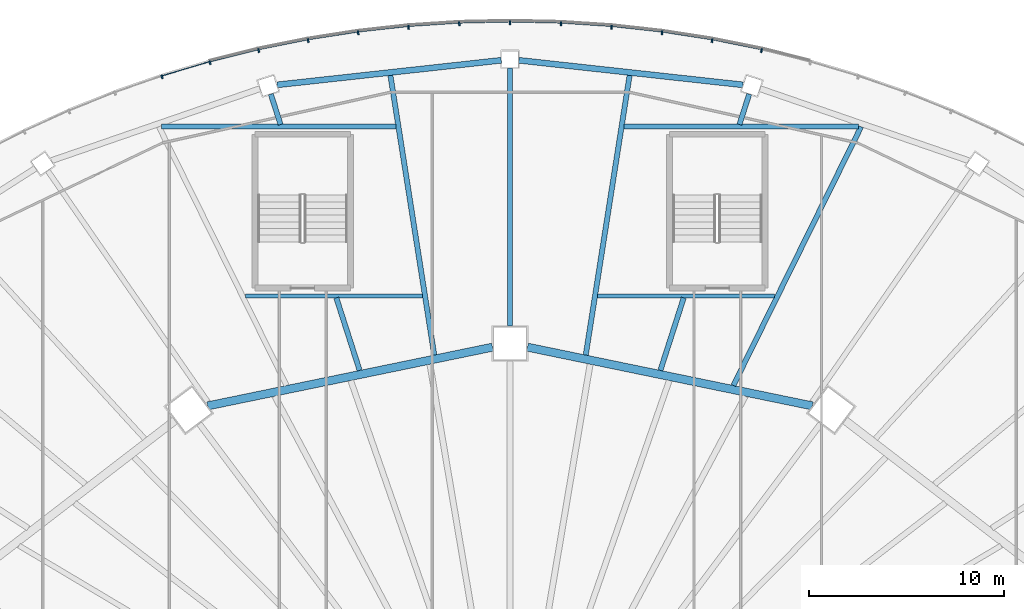
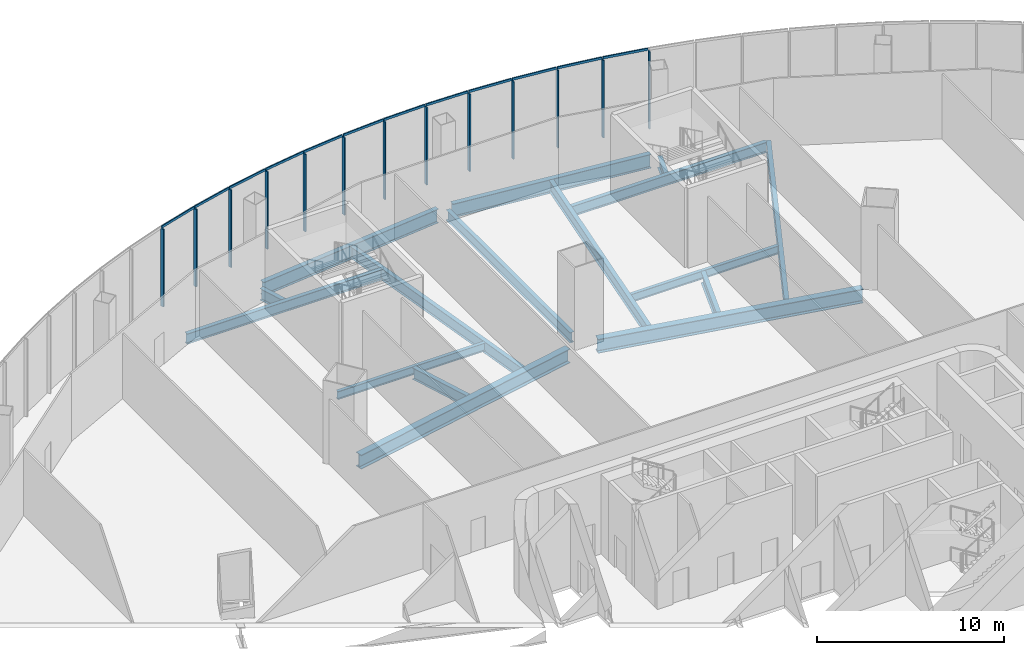
# One storey, part 14 of 42: 25 members, 16 beams, 3 elements without a shape of their own.
"""IFC4 building model written with IfcOpenShell, lengths in metres."""

from ifc_helpers import new_model, si_unit, direction, frame, origin, origin_2d, place, context, subcontext, project, spatial, rectangle, i_section, extrude, material, layer, layer_set, material_profile, profile_set, type_object, element, aggregate, save


model = new_model("IFC4")

# Units and contexts
model_context = context("Model", 3, precision=1e-05, world=origin(), true_north=direction((0.0, 1.0)))
body_context = subcontext(model_context, "Body", "Model", "MODEL_VIEW")
ifc_project = project(units=[si_unit("LENGTHUNIT", "METRE"), si_unit("AREAUNIT", "SQUARE_METRE"), si_unit("VOLUMEUNIT", "CUBIC_METRE"), si_unit("PLANEANGLEUNIT", "RADIAN"), si_unit("MASSUNIT", "GRAM", prefix="KILO")], contexts=[model_context])

# Site, building, storey
site_placement = place(None, origin())
site = spatial("IfcSite", under=ifc_project, at=site_placement, CompositionType="ELEMENT")
building_placement = place(site_placement, origin())
building = spatial("IfcBuilding", under=site, at=building_placement, Name="Sahrelin Media Tower", CompositionType="ELEMENT")
storey_placement = place(building_placement, frame((0.0, 0.0, 26.0)))
storey = spatial("IfcBuildingStorey", under=building, at=storey_placement, Name="L03", CompositionType="ELEMENT", Elevation=26.0)

# Beams
ifc_material_1 = material(Name="Steel S355", Category="steel")
ifc_material_profile_1 = material_profile(ifc_material_1, i_section(OverallWidth=0.208740234375, OverallDepth=0.5283203125, WebThickness=0.009521484375, FlangeThickness=0.01318359375, FilletRadius=0.0126953125, at=origin_2d()), Name="UB 533x210x82")
ifc_profile_set_1 = profile_set([ifc_material_profile_1], Name="Steel S355")
beam_type_1 = type_object("IfcBeamType", Name="Header beam HB6", PredefinedType="BEAM", material=ifc_profile_set_1)
for number, where, z_axis, x_axis, name in (
    (1, (13.59814453125, 27.85009765625, -0.464111328125), (-1.0, 0.0, 0.0), (0.0, -1.0, 0.0), "Header beam L03-01"),
    (2, (-4.50146484375, 27.85009765625, -0.464111328125), (-1.0, 0.0, 0.0), (0.0, -1.0, 0.0), "Header beam L03-03"),
):
    element("IfcBeam", number, at=place(storey_placement, frame(where, z_axis=z_axis, x_axis=x_axis)), inside=storey, type_object=beam_type_1, Name=name, PredefinedType="BEAM", context=body_context, shape_type="SweptSolid", body=[
        extrude(i_section(OverallWidth=0.208740234375, OverallDepth=0.5283203125, WebThickness=0.009521484375, FlangeThickness=0.01318359375, FilletRadius=0.0126953125, at=origin_2d()), origin(), (0.0, 0.0, 1.0), 9.0966796875),
    ])
ifc_material_profile_2 = material_profile(ifc_material_1, i_section(OverallWidth=0.2529296875, OverallDepth=0.677978515625, WebThickness=0.01171875, FlangeThickness=0.01611328125, FilletRadius=0.01513671875, at=origin_2d()), Name="UB 686x254x125")
ifc_profile_set_2 = profile_set([ifc_material_profile_2], Name="Steel S355")
beam_type_2 = type_object("IfcBeamType", Name="Header beam HB8", PredefinedType="BEAM", material=ifc_profile_set_2)
for number, where, z_axis, x_axis, name in (
    (3, (5.86572265625, 36.550048828125, -0.538818359375), (1.0, 0.0, 0.0), (0.0, 1.0, 0.0), "Header beam L03-02"),
    (4, (-17.892333984375, 36.550048828125, -0.538818359375), (1.0, 0.0, 0.0), (0.0, 1.0, 0.0), "Header beam L03-04"),
):
    element("IfcBeam", number, at=place(storey_placement, frame(where, z_axis=z_axis, x_axis=x_axis)), inside=storey, type_object=beam_type_2, Name=name, PredefinedType="BEAM", context=body_context, shape_type="SweptSolid", body=[
        extrude(i_section(OverallWidth=0.2529296875, OverallDepth=0.677978515625, WebThickness=0.01171875, FlangeThickness=0.01611328125, FilletRadius=0.01513671875, at=origin_2d()), origin(), (0.0, 0.0, 1.0), 12.026611328125),
    ])

# Curtain wall, members
ifc_material_2 = material(Name="Champagne anodised aluminium 6063-T6", Category="aluminium")
ifc_layer = layer(ifc_material_2, 0.14990234375)
ifc_layer_set = layer_set([ifc_layer], Name="Podium ribbon curtain wall")
curtain_wall_type = type_object("IfcCurtainWallType", Name="Podium ribbon curtain wall", PredefinedType="NOTDEFINED", material=ifc_layer_set)
curtain_wall_1_placement = place(storey_placement, frame((12.94091796875, 40.56884765625, 0.0), z_axis=(0.0, 0.0, 1.0), x_axis=(1.0, 0.0, 0.0)))
curtain_wall_1 = element("IfcCurtainWall", 5, at=curtain_wall_1_placement, inside=storey, type_object=curtain_wall_type, Name="L03:CW:L03-P05", PredefinedType="NOTDEFINED")
ifc_material_profile_3 = material_profile(ifc_material_2, rectangle(XDim=0.080078125, YDim=0.199951171875, at=origin_2d()), Name="Mullion 80x200")
ifc_profile_set_3 = profile_set([ifc_material_profile_3], Name="Champagne anodised aluminium 6063-T6")
member_type_1 = type_object("IfcMemberType", Name="Mullion 80x200 CW5", PredefinedType="MULLION", material=ifc_profile_set_3)
member_1_placement = place(storey_placement, frame((12.917236328125, 40.451416015625, 0.0), z_axis=(0.0, 0.0, 1.0), x_axis=(-0.980267034681, 0.197677871087, 0.0)))
member_1 = element("IfcMember", 6, at=member_1_placement, type_object=member_type_1, Name="L03:CWM1:L03-P05", PredefinedType="MULLION", context=body_context, shape_type="SweptSolid", body=[
    extrude(rectangle(XDim=0.080078125, YDim=0.199951171875, at=origin_2d()), origin(), (0.0, 0.0, 1.0), 5.050048828125),
])
member_2_placement = place(storey_placement, frame((10.377197265625, 40.963623046875, 0.0), z_axis=(0.0, 0.0, 1.0), x_axis=(-0.988097990296, 0.15382575068, 0.0)))
member_2 = element("IfcMember", 7, at=member_2_placement, type_object=member_type_1, Name="L03:CWM2:L03-P05", PredefinedType="MULLION", context=body_context, shape_type="SweptSolid", body=[
    extrude(rectangle(XDim=0.080078125, YDim=0.199951171875, at=origin_2d()), origin(), (0.0, 0.0, 1.0), 5.050048828125),
])
member_3_placement = place(storey_placement, frame((7.80859375, 41.363525390625, 0.0), z_axis=(0.0, 0.0, 1.0), x_axis=(-0.993941020741, 0.109914727352, 0.0)))
member_3 = element("IfcMember", 8, at=member_3_placement, type_object=member_type_1, Name="L03:CWM3:L03-P05", PredefinedType="MULLION", context=body_context, shape_type="SweptSolid", body=[
    extrude(rectangle(XDim=0.080078125, YDim=0.199951171875, at=origin_2d()), origin(), (0.0, 0.0, 1.0), 5.050048828125),
])
member_4_placement = place(storey_placement, frame((5.218505859375, 41.650146484375, 0.0), z_axis=(0.0, 0.0, 1.0), x_axis=(-0.997822354733, 0.06595868703, 0.0)))
member_4 = element("IfcMember", 9, at=member_4_placement, type_object=member_type_1, Name="L03:CWM4:L03-P05", PredefinedType="MULLION", context=body_context, shape_type="SweptSolid", body=[
    extrude(rectangle(XDim=0.080078125, YDim=0.199951171875, at=origin_2d()), origin(), (0.0, 0.0, 1.0), 5.050048828125),
])
member_5_placement = place(storey_placement, frame((2.6142578125, 41.822509765625, 0.0), z_axis=(0.0, 0.0, 1.0), x_axis=(-0.999757820498, 0.022006825162, 0.0)))
member_5 = element("IfcMember", 10, at=member_5_placement, type_object=member_type_1, Name="L03:CWM5:L03-P05", PredefinedType="MULLION", context=body_context, shape_type="SweptSolid", body=[
    extrude(rectangle(XDim=0.080078125, YDim=0.199951171875, at=origin_2d()), origin(), (0.0, 0.0, 1.0), 5.050048828125),
])

curtain_wall_2_placement = place(storey_placement, frame((0.0, 42.0, 0.0), z_axis=(0.0, 0.0, 1.0), x_axis=(1.0, 0.0, 0.0)))
curtain_wall_2 = element("IfcCurtainWall", 11, at=curtain_wall_2_placement, inside=storey, type_object=curtain_wall_type, Name="L03:CW:L03-P06", PredefinedType="NOTDEFINED")
member_6_placement = place(storey_placement, frame((0.002685546875, 41.8798828125, 0.0), z_axis=(0.0, 0.0, 1.0), x_axis=(-0.999757820498, -0.022006825162, 0.0)))
member_6 = element("IfcMember", 12, at=member_6_placement, type_object=member_type_1, Name="L03:CWM1:L03-P06", PredefinedType="MULLION", context=body_context, shape_type="SweptSolid", body=[
    extrude(rectangle(XDim=0.080078125, YDim=0.199951171875, at=origin_2d()), origin(), (0.0, 0.0, 1.0), 5.050048828125),
])
member_7_placement = place(storey_placement, frame((-2.60888671875, 41.82275390625, 0.0), z_axis=(0.0, 0.0, 1.0), x_axis=(-0.997822354733, -0.06595868703, 0.0)))
member_7 = element("IfcMember", 13, at=member_7_placement, type_object=member_type_1, Name="L03:CWM2:L03-P06", PredefinedType="MULLION", context=body_context, shape_type="SweptSolid", body=[
    extrude(rectangle(XDim=0.080078125, YDim=0.199951171875, at=origin_2d()), origin(), (0.0, 0.0, 1.0), 5.050048828125),
])
member_8_placement = place(storey_placement, frame((-5.213134765625, 41.650634765625, 0.0), z_axis=(0.0, 0.0, 1.0), x_axis=(-0.993941020741, -0.109914727352, 0.0)))
member_8 = element("IfcMember", 14, at=member_8_placement, type_object=member_type_1, Name="L03:CWM3:L03-P06", PredefinedType="MULLION", context=body_context, shape_type="SweptSolid", body=[
    extrude(rectangle(XDim=0.080078125, YDim=0.199951171875, at=origin_2d()), origin(), (0.0, 0.0, 1.0), 5.050048828125),
])
member_9_placement = place(storey_placement, frame((-7.80322265625, 41.3642578125, 0.0), z_axis=(0.0, 0.0, 1.0), x_axis=(-0.988097990296, -0.15382575068, 0.0)))
member_9 = element("IfcMember", 15, at=member_9_placement, type_object=member_type_1, Name="L03:CWM4:L03-P06", PredefinedType="MULLION", context=body_context, shape_type="SweptSolid", body=[
    extrude(rectangle(XDim=0.080078125, YDim=0.199951171875, at=origin_2d()), origin(), (0.0, 0.0, 1.0), 5.050048828125),
])
member_10_placement = place(storey_placement, frame((-10.371826171875, 40.964599609375, 0.0), z_axis=(0.0, 0.0, 1.0), x_axis=(-0.980267034681, -0.197677871087, 0.0)))
member_10 = element("IfcMember", 16, at=member_10_placement, type_object=member_type_1, Name="L03:CWM5:L03-P06", PredefinedType="MULLION", context=body_context, shape_type="SweptSolid", body=[
    extrude(rectangle(XDim=0.080078125, YDim=0.199951171875, at=origin_2d()), origin(), (0.0, 0.0, 1.0), 5.050048828125),
])

curtain_wall_3_placement = place(storey_placement, frame((-12.94091796875, 40.56884765625, 0.0), z_axis=(0.0, 0.0, 1.0), x_axis=(1.0, 0.0, 0.0)))
curtain_wall_3 = element("IfcCurtainWall", 17, at=curtain_wall_3_placement, inside=storey, type_object=curtain_wall_type, Name="L03:CW:L03-P07", PredefinedType="NOTDEFINED")
member_11_placement = place(storey_placement, frame((-12.912109375, 40.452392578125, 0.0), z_axis=(0.0, 0.0, 1.0), x_axis=(-0.970410464409, -0.241461240296, 0.0)))
member_11 = element("IfcMember", 18, at=member_11_placement, type_object=member_type_1, Name="L03:CWM1:L03-P07", PredefinedType="MULLION", context=body_context, shape_type="SweptSolid", body=[
    extrude(rectangle(XDim=0.080078125, YDim=0.199951171875, at=origin_2d()), origin(), (0.0, 0.0, 1.0), 5.050048828125),
])
member_12_placement = place(storey_placement, frame((-15.41650390625, 39.829345703125, 0.0), z_axis=(0.0, 0.0, 1.0), x_axis=(-0.958494922328, -0.285109599754, 0.0)))
member_12 = element("IfcMember", 19, at=member_12_placement, type_object=member_type_1, Name="L03:CWM2:L03-P07", PredefinedType="MULLION", context=body_context, shape_type="SweptSolid", body=[
    extrude(rectangle(XDim=0.080078125, YDim=0.199951171875, at=origin_2d()), origin(), (0.0, 0.0, 1.0), 5.050048828125),
])
member_13_placement = place(storey_placement, frame((-17.87890625, 39.09716796875, 0.0), z_axis=(0.0, 0.0, 1.0), x_axis=(-0.944458420046, -0.328630937077, 0.0)))
member_13 = element("IfcMember", 20, at=member_13_placement, type_object=member_type_1, Name="L03:CWM3:L03-P07", PredefinedType="MULLION", context=body_context, shape_type="SweptSolid", body=[
    extrude(rectangle(XDim=0.080078125, YDim=0.199951171875, at=origin_2d()), origin(), (0.0, 0.0, 1.0), 5.050048828125),
])

# Beams
ifc_material_profile_4 = material_profile(ifc_material_1, i_section(OverallWidth=0.30322265625, OverallDepth=0.903076171875, WebThickness=0.01513671875, FlangeThickness=0.020263671875, FilletRadius=0.01904296875, at=origin_2d()), Name="UB 914x305x201")
ifc_profile_set_4 = profile_set([ifc_material_profile_4], Name="Steel S355")
beam_type_3 = type_object("IfcBeamType", Name="Podium edge girder PE11", PredefinedType="BEAM", material=ifc_profile_set_4)
for number, where, z_axis, x_axis, name in (
    (21, (11.966796875, 38.68701171875, -0.651611328125), (-0.994034160473, 0.109069188193, 0.0), (-0.109069188193, -0.994034160473, 0.0), "Podium edge girder L03-06"),
    (22, (-0.449951171875, 39.95068359375, -0.651611328125), (-0.994034160473, -0.109069188193, 0.0), (0.109069188193, -0.994034160473, 0.0), "Podium edge girder L03-07"),
):
    element("IfcBeam", number, at=place(storey_placement, frame(where, z_axis=z_axis, x_axis=x_axis)), inside=storey, type_object=beam_type_3, Name=name, PredefinedType="BEAM", context=body_context, shape_type="SweptSolid", body=[
        extrude(i_section(OverallWidth=0.30322265625, OverallDepth=0.903076171875, WebThickness=0.01513671875, FlangeThickness=0.020263671875, FilletRadius=0.01904296875, at=origin_2d()), origin(), (0.0, 0.0, 1.0), 11.5859375),
    ])
ifc_material_profile_5 = material_profile(ifc_material_1, i_section(OverallWidth=0.41845703125, OverallDepth=0.911865234375, WebThickness=0.019287109375, FlangeThickness=0.031982421875, FilletRadius=0.024169921875, at=origin_2d()), Name="UB 914x419x343")
ifc_profile_set_5 = profile_set([ifc_material_profile_5], Name="Steel S355")
beam_type_4 = type_object("IfcBeamType", Name="Podium ring girder PG12", PredefinedType="BEAM", material=ifc_profile_set_5)
for number, where, z_axis, x_axis, name in (
    (23, (15.525634765625, 22.197998046875, -0.656005859375), (-0.979388513106, 0.201985495508, 0.0), (-0.201985495508, -0.979388513106, 0.0), "Podium girder L03-03"),
    (24, (-0.89990234375, 25.21435546875, -0.656005859375), (-0.979388513106, -0.201985495508, 0.0), (0.201985495508, -0.979388513106, 0.0), "Podium girder L03-04"),
):
    element("IfcBeam", number, at=place(storey_placement, frame(where, z_axis=z_axis, x_axis=x_axis)), inside=storey, type_object=beam_type_4, Name=name, PredefinedType="BEAM", context=body_context, shape_type="SweptSolid", body=[
        extrude(i_section(OverallWidth=0.41845703125, OverallDepth=0.911865234375, WebThickness=0.019287109375, FlangeThickness=0.031982421875, FilletRadius=0.024169921875, at=origin_2d()), origin(), (0.0, 0.0, 1.0), 14.93359375),
    ])
ifc_material_profile_6 = material_profile(ifc_material_1, i_section(OverallWidth=0.2529296875, OverallDepth=0.677978515625, WebThickness=0.01171875, FlangeThickness=0.01611328125, FilletRadius=0.01513671875, at=origin_2d()), Name="UB 686x254x125")
ifc_profile_set_6 = profile_set([ifc_material_profile_6], Name="Steel S355")
beam_type_5 = type_object("IfcBeamType", Name="Radial primary beam PB8", PredefinedType="BEAM", material=ifc_profile_set_6)
beam_1_placement = place(storey_placement, frame((0.0, 26.300048828125, -0.538818359375), z_axis=(0.0, 1.0, 0.0), x_axis=(-1.0, 0.0, 0.0)))
element("IfcBeam", 25, at=beam_1_placement, inside=storey, type_object=beam_type_5, Name="Radial beam L03-08", PredefinedType="BEAM", context=body_context, shape_type="SweptSolid", body=[
    extrude(i_section(OverallWidth=0.2529296875, OverallDepth=0.677978515625, WebThickness=0.01171875, FlangeThickness=0.01611328125, FilletRadius=0.01513671875, at=origin_2d()), origin(), (0.0, 0.0, 1.0), 13.25),
])
ifc_material_profile_7 = material_profile(ifc_material_1, i_section(OverallWidth=0.26513671875, OverallDepth=0.75390625, WebThickness=0.0126953125, FlangeThickness=0.017578125, FilletRadius=0.0166015625, at=origin_2d()), Name="UB 762x267x147")
ifc_profile_set_7 = profile_set([ifc_material_profile_7], Name="Steel S355")
beam_type_6 = type_object("IfcBeamType", Name="Radial primary beam PB9", PredefinedType="BEAM", material=ifc_profile_set_7)
beam_2_placement = place(storey_placement, frame((7.7236328125, 24.020751953125, -0.576904296875), z_axis=(0.30607575523, 0.952007159669, 0.0), x_axis=(-0.952007159669, 0.30607575523, 0.0)))
element("IfcBeam", 26, at=beam_2_placement, inside=storey, type_object=beam_type_6, Name="Radial beam L03-06", PredefinedType="BEAM", context=body_context, shape_type="SweptSolid", body=[
    extrude(i_section(OverallWidth=0.26513671875, OverallDepth=0.75390625, WebThickness=0.0126953125, FlangeThickness=0.017578125, FilletRadius=0.0166015625, at=origin_2d()), origin(), (0.0, 0.0, 1.0), 3.917236328125),
])
beam_3_placement = place(storey_placement, frame((11.784423828125, 36.64990234375, -0.576904296875), z_axis=(0.306144333921, 0.951985108501, 0.0), x_axis=(-0.951985108501, 0.306144333921, 0.0)))
element("IfcBeam", 27, at=beam_3_placement, inside=storey, type_object=beam_type_6, Name="Radial beam L03-07", PredefinedType="BEAM", context=body_context, shape_type="SweptSolid", body=[
    extrude(i_section(OverallWidth=0.26513671875, OverallDepth=0.75390625, WebThickness=0.0126953125, FlangeThickness=0.017578125, FilletRadius=0.0166015625, at=origin_2d()), origin(), (0.0, 0.0, 1.0), 1.63720703125),
])
beam_4_placement = place(storey_placement, frame((-7.7236328125, 24.020751953125, -0.576904296875), z_axis=(-0.30607575523, 0.952007159669, 0.0), x_axis=(-0.952007159669, -0.30607575523, 0.0)))
element("IfcBeam", 28, at=beam_4_placement, inside=storey, type_object=beam_type_6, Name="Radial beam L03-09", PredefinedType="BEAM", context=body_context, shape_type="SweptSolid", body=[
    extrude(i_section(OverallWidth=0.26513671875, OverallDepth=0.75390625, WebThickness=0.0126953125, FlangeThickness=0.017578125, FilletRadius=0.0166015625, at=origin_2d()), origin(), (0.0, 0.0, 1.0), 3.917236328125),
])
beam_5_placement = place(storey_placement, frame((-11.784423828125, 36.64990234375, -0.576904296875), z_axis=(-0.306144333921, 0.951985108501, 0.0), x_axis=(-0.951985108501, -0.306144333921, 0.0)))
element("IfcBeam", 29, at=beam_5_placement, inside=storey, type_object=beam_type_6, Name="Radial beam L03-10", PredefinedType="BEAM", context=body_context, shape_type="SweptSolid", body=[
    extrude(i_section(OverallWidth=0.26513671875, OverallDepth=0.75390625, WebThickness=0.0126953125, FlangeThickness=0.017578125, FilletRadius=0.0166015625, at=origin_2d()), origin(), (0.0, 0.0, 1.0), 1.63720703125),
])
ifc_material_profile_8 = material_profile(ifc_material_1, i_section(OverallWidth=0.26513671875, OverallDepth=0.75390625, WebThickness=0.0126953125, FlangeThickness=0.017578125, FilletRadius=0.0166015625, at=origin_2d()), Name="UB 762x267x147")
ifc_profile_set_8 = profile_set([ifc_material_profile_8], Name="Steel S355")
beam_type_7 = type_object("IfcBeamType", Name="Radial secondary beam SB9", PredefinedType="BEAM", material=ifc_profile_set_8)
beam_6_placement = place(storey_placement, frame((11.47412109375, 23.247314453125, -0.576904296875), z_axis=(0.442602611298, 0.896717864477, 0.0), x_axis=(-0.896717864477, 0.442602611298, 0.0)))
element("IfcBeam", 30, at=beam_6_placement, inside=storey, type_object=beam_type_7, Name="Secondary beam L03-05", PredefinedType="BEAM", context=body_context, shape_type="SweptSolid", body=[
    extrude(i_section(OverallWidth=0.26513671875, OverallDepth=0.75390625, WebThickness=0.0126953125, FlangeThickness=0.017578125, FilletRadius=0.0166015625, at=origin_2d()), origin(), (0.0, 0.0, 1.0), 14.8232421875),
])
for number, where, z_axis, x_axis, name in (
    (31, (3.890869140625, 24.811279296875, -0.576904296875), (0.154919883605, 0.987927036609, 0.0), (-0.987927036609, 0.154919883605, 0.0), "Secondary beam L03-06"),
    (32, (-3.890869140625, 24.811279296875, -0.576904296875), (-0.154919883605, 0.987927036609, 0.0), (-0.987927036609, -0.154919883605, 0.0), "Secondary beam L03-07"),
):
    element("IfcBeam", number, at=place(storey_placement, frame(where, z_axis=z_axis, x_axis=x_axis)), inside=storey, type_object=beam_type_7, Name=name, PredefinedType="BEAM", context=body_context, shape_type="SweptSolid", body=[
        extrude(i_section(OverallWidth=0.26513671875, OverallDepth=0.75390625, WebThickness=0.0126953125, FlangeThickness=0.017578125, FilletRadius=0.0166015625, at=origin_2d()), origin(), (0.0, 0.0, 1.0), 14.537841796875),
    ])

# Member
ifc_material_profile_9 = material_profile(ifc_material_2, rectangle(XDim=0.06005859375, YDim=0.14990234375, at=origin_2d()), Name="Transom 60x150")
ifc_profile_set_9 = profile_set([ifc_material_profile_9], Name="Champagne anodised aluminium 6063-T6")
member_type_2 = type_object("IfcMemberType", Name="Transom 60x150 CW5", PredefinedType="USERDEFINED", material=ifc_profile_set_9)
member_14_placement = place(storey_placement, frame((12.882080078125, 40.52978515625, 5.125), z_axis=(-0.980266003838, 0.197682982877, 0.0), x_axis=(-0.197682982877, -0.980266003838, 0.0)))
member_14 = element("IfcMember", 33, at=member_14_placement, type_object=member_type_2, Name="L03:CWT1a:L03-P05", ObjectType="TRANSOM", PredefinedType="USERDEFINED", context=body_context, shape_type="SweptSolid", body=[
    extrude(rectangle(XDim=0.06005859375, YDim=0.14990234375, at=origin_2d()), origin(), (0.0, 0.0, 1.0), 2.546630859375),
])

member_15_placement = place(storey_placement, frame((10.33837890625, 41.04052734375, 5.125), z_axis=(-0.98809388136, 0.153852142069, 0.0), x_axis=(-0.153852142069, -0.98809388136, 0.0)))
member_15 = element("IfcMember", 34, at=member_15_placement, type_object=member_type_2, Name="L03:CWT2a:L03-P05", ObjectType="TRANSOM", PredefinedType="USERDEFINED", context=body_context, shape_type="SweptSolid", body=[
    extrude(rectangle(XDim=0.06005859375, YDim=0.14990234375, at=origin_2d()), origin(), (0.0, 0.0, 1.0), 2.554931640625),
])

member_16_placement = place(storey_placement, frame((7.7666015625, 41.438720703125, 5.125), z_axis=(-0.9939417213, 0.109908392122, 0.0), x_axis=(-0.109908392122, -0.9939417213, 0.0)))
member_16 = element("IfcMember", 35, at=member_16_placement, type_object=member_type_2, Name="L03:CWT3a:L03-P05", ObjectType="TRANSOM", PredefinedType="USERDEFINED", context=body_context, shape_type="SweptSolid", body=[
    extrude(rectangle(XDim=0.06005859375, YDim=0.14990234375, at=origin_2d()), origin(), (0.0, 0.0, 1.0), 2.561279296875),
])

member_17_placement = place(storey_placement, frame((5.173095703125, 41.723388671875, 5.125), z_axis=(-0.997822480178, 0.065956789275, 0.0), x_axis=(-0.065956789275, -0.997822480178, 0.0)))
member_17 = element("IfcMember", 36, at=member_17_placement, type_object=member_type_2, Name="L03:CWT4a:L03-P05", ObjectType="TRANSOM", PredefinedType="USERDEFINED", context=body_context, shape_type="SweptSolid", body=[
    extrude(rectangle(XDim=0.06005859375, YDim=0.14990234375, at=origin_2d()), origin(), (0.0, 0.0, 1.0), 2.565185546875),
])

member_18_placement = place(storey_placement, frame((2.565673828125, 41.8935546875, 5.125), z_axis=(-0.999758731389, 0.021965404884, 0.0), x_axis=(-0.021965404884, -0.999758731389, 0.0)))
member_18 = element("IfcMember", 37, at=member_18_placement, type_object=member_type_2, Name="L03:CWT5a:L03-P05", ObjectType="TRANSOM", PredefinedType="USERDEFINED", context=body_context, shape_type="SweptSolid", body=[
    extrude(rectangle(XDim=0.06005859375, YDim=0.14990234375, at=origin_2d()), origin(), (0.0, 0.0, 1.0), 2.567626953125),
])

aggregate(curtain_wall_1, [member_1, member_14, member_2, member_15, member_3, member_16, member_4, member_17, member_5, member_18])

member_19_placement = place(storey_placement, frame((-0.048828125, 41.948974609375, 5.125), z_axis=(-0.999756638726, -0.022060447041, 0.0), x_axis=(0.022060447041, -0.999756638726, 0.0)))
member_19 = element("IfcMember", 38, at=member_19_placement, type_object=member_type_2, Name="L03:CWT1a:L03-P06", ObjectType="TRANSOM", PredefinedType="USERDEFINED", context=body_context, shape_type="SweptSolid", body=[
    extrude(rectangle(XDim=0.06005859375, YDim=0.14990234375, at=origin_2d()), origin(), (0.0, 0.0, 1.0), 2.567626953125),
])

member_20_placement = place(storey_placement, frame((-2.663330078125, 41.88916015625, 5.125), z_axis=(-0.997822894162, -0.065950526052, 0.0), x_axis=(0.065950526052, -0.997822894162, 0.0)))
member_20 = element("IfcMember", 39, at=member_20_placement, type_object=member_type_2, Name="L03:CWT2a:L03-P06", ObjectType="TRANSOM", PredefinedType="USERDEFINED", context=body_context, shape_type="SweptSolid", body=[
    extrude(rectangle(XDim=0.06005859375, YDim=0.14990234375, at=origin_2d()), origin(), (0.0, 0.0, 1.0), 2.5654296875),
])

member_21_placement = place(storey_placement, frame((-5.2705078125, 41.714599609375, 5.125), z_axis=(-0.9939417213, -0.109908392122, 0.0), x_axis=(0.109908392122, -0.9939417213, 0.0)))
member_21 = element("IfcMember", 40, at=member_21_placement, type_object=member_type_2, Name="L03:CWT3a:L03-P06", ObjectType="TRANSOM", PredefinedType="USERDEFINED", context=body_context, shape_type="SweptSolid", body=[
    extrude(rectangle(XDim=0.06005859375, YDim=0.14990234375, at=origin_2d()), origin(), (0.0, 0.0, 1.0), 2.561279296875),
])

member_22_placement = place(storey_placement, frame((-7.86328125, 41.42578125, 5.125), z_axis=(-0.988096142999, -0.153837616307, 0.0), x_axis=(0.153837616307, -0.988096142999, 0.0)))
member_22 = element("IfcMember", 41, at=member_22_placement, type_object=member_type_2, Name="L03:CWT4a:L03-P06", ObjectType="TRANSOM", PredefinedType="USERDEFINED", context=body_context, shape_type="SweptSolid", body=[
    extrude(rectangle(XDim=0.06005859375, YDim=0.14990234375, at=origin_2d()), origin(), (0.0, 0.0, 1.0), 2.55517578125),
])

member_23_placement = place(storey_placement, frame((-10.434814453125, 41.023193359375, 5.125), z_axis=(-0.980284577643, -0.197590857166, 0.0), x_axis=(0.197590857166, -0.980284577643, 0.0)))
member_23 = element("IfcMember", 42, at=member_23_placement, type_object=member_type_2, Name="L03:CWT5a:L03-P06", ObjectType="TRANSOM", PredefinedType="USERDEFINED", context=body_context, shape_type="SweptSolid", body=[
    extrude(rectangle(XDim=0.06005859375, YDim=0.14990234375, at=origin_2d()), origin(), (0.0, 0.0, 1.0), 2.546630859375),
])

aggregate(curtain_wall_2, [member_6, member_19, member_7, member_20, member_8, member_21, member_9, member_22, member_10, member_23])

member_24_placement = place(storey_placement, frame((-12.977294921875, 40.50830078125, 5.125), z_axis=(-0.970424936956, -0.241403069023, 0.0), x_axis=(0.241403069023, -0.970424936956, 0.0)))
member_24 = element("IfcMember", 43, at=member_24_placement, type_object=member_type_2, Name="L03:CWT1a:L03-P07", ObjectType="TRANSOM", PredefinedType="USERDEFINED", context=body_context, shape_type="SweptSolid", body=[
    extrude(rectangle(XDim=0.06005859375, YDim=0.14990234375, at=origin_2d()), origin(), (0.0, 0.0, 1.0), 2.536376953125),
])

member_25_placement = place(storey_placement, frame((-15.484619140625, 39.882080078125, 5.125), z_axis=(-0.958515646139, -0.285039920199, 0.0), x_axis=(0.285039920199, -0.958515646139, 0.0)))
member_25 = element("IfcMember", 44, at=member_25_placement, type_object=member_type_2, Name="L03:CWT2a:L03-P07", ObjectType="TRANSOM", PredefinedType="USERDEFINED", context=body_context, shape_type="SweptSolid", body=[
    extrude(rectangle(XDim=0.06005859375, YDim=0.14990234375, at=origin_2d()), origin(), (0.0, 0.0, 1.0), 2.524169921875),
])

aggregate(curtain_wall_3, [member_11, member_24, member_12, member_25, member_13])

save(model, "model.ifc")
